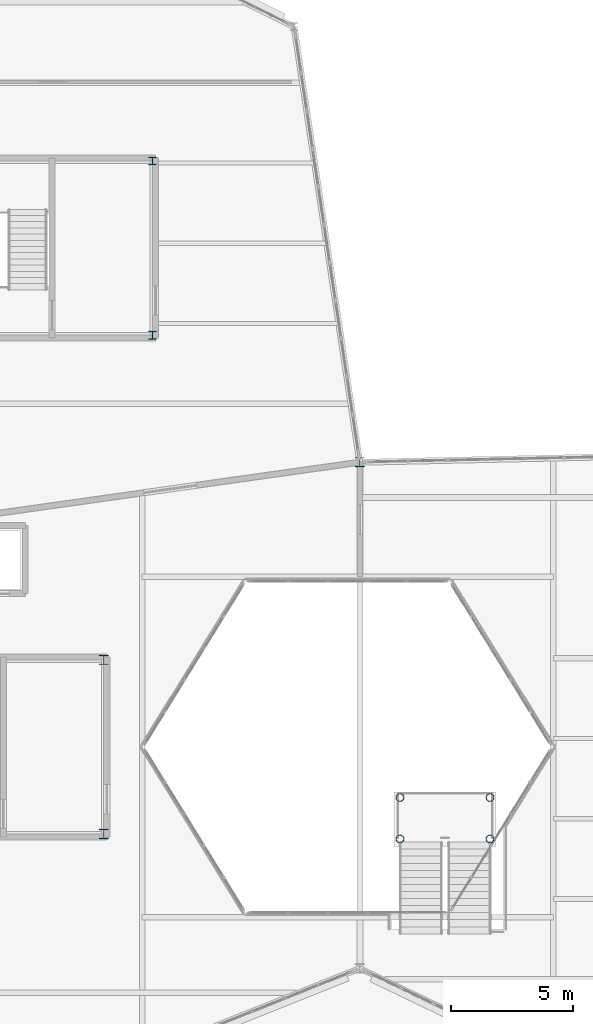
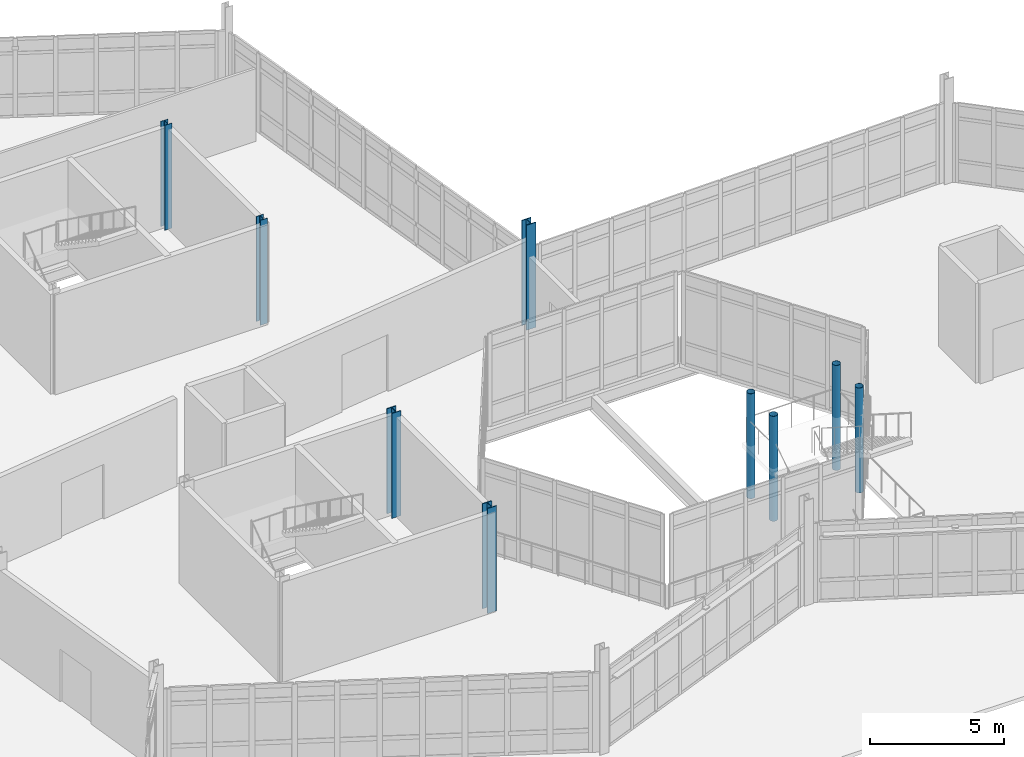
# One storey, part 11 of 134: 9 columns.
"""IFC4 building model written with IfcOpenShell, lengths in metres."""

from ifc_helpers import new_model, si_unit, direction, frame, origin, origin_2d, place, context, subcontext, project, spatial, hollow_circle, i_section, extrude, material, material_profile, profile_set, type_object, element, save


model = new_model("IFC4")

# Units and contexts
model_context = context("Model", 3, precision=1e-05, world=origin(), true_north=direction((0.0, 1.0)))
body_context = subcontext(model_context, "Body", "Model", "MODEL_VIEW")
ifc_project = project(units=[si_unit("LENGTHUNIT", "METRE"), si_unit("AREAUNIT", "SQUARE_METRE"), si_unit("VOLUMEUNIT", "CUBIC_METRE"), si_unit("PLANEANGLEUNIT", "RADIAN"), si_unit("MASSUNIT", "GRAM", prefix="KILO")], contexts=[model_context])

# Site, building, storey
site_placement = place(None, origin())
site = spatial("IfcSite", under=ifc_project, at=site_placement, CompositionType="ELEMENT")
building_placement = place(site_placement, origin())
building = spatial("IfcBuilding", under=site, at=building_placement, Name="Tameran Prism Museum", CompositionType="ELEMENT")
storey_placement = place(building_placement, frame((0.0, 0.0, 5.39990234375)))
storey = spatial("IfcBuildingStorey", under=building, at=storey_placement, Name="L01", CompositionType="ELEMENT", Elevation=5.39990234375)

# Columns
ifc_material_1 = material(Name="Steel Grade C350L0 (350 MPa)", Category="steel")
ifc_material_profile_1 = material_profile(ifc_material_1, hollow_circle(Radius=0.161865234375, WallThickness=0.010009765625, at=origin_2d()))
ifc_profile_set_1 = profile_set([ifc_material_profile_1])
column_type_1 = type_object("IfcColumnType", Name="COL-CHS324", PredefinedType="COLUMN", material=ifc_profile_set_1)
for number, where, z_axis, x_axis, name in (
    (1, (79.14990234375, 32.719970703125, 0.0), (0.0, 0.0, 1.0), (1.0, 0.0, 0.0), "Atrium Stair Support Column CAS-L01-1"),
    (2, (82.85009765625, 32.719970703125, 0.0), (0.0, 0.0, 1.0), (1.0, 0.0, 0.0), "Atrium Stair Support Column CAS-L01-2"),
    (3, (79.14990234375, 34.419921875, 0.0), (0.0, 0.0, 1.0), (1.0, 0.0, 0.0), "Atrium Stair Support Column CAS-L01-3"),
    (4, (82.85009765625, 34.419921875, 0.0), (0.0, 0.0, 1.0), (1.0, 0.0, 0.0), "Atrium Stair Support Column CAS-L01-4"),
):
    element("IfcColumn", number, at=place(storey_placement, frame(where, z_axis=z_axis, x_axis=x_axis)), inside=storey, type_object=column_type_1, Name=name, PredefinedType="COLUMN", context=body_context, shape_type="SweptSolid", body=[
        extrude(hollow_circle(Radius=0.161865234375, WallThickness=0.010009765625, at=origin_2d()), origin(), (0.0, 0.0, 1.0), 4.800048828125),
    ])
ifc_material_2 = material(Name="Steel Grade 300PLUS (300 MPa)", Category="steel")
ifc_material_profile_2 = material_profile(ifc_material_2, i_section(OverallWidth=0.306884765625, OverallDepth=0.31494140625, WebThickness=0.011962890625, FlangeThickness=0.018798828125, FilletRadius=0.0166015625, at=origin_2d()))
ifc_profile_set_2 = profile_set([ifc_material_profile_2])
column_type_2 = type_object("IfcColumnType", Name="COL-UC310C", PredefinedType="COLUMN", material=ifc_profile_set_2)
for number, where, z_axis, x_axis, name in (
    (5, (68.97998046875, 53.419921875, 0.0), (0.0, 0.0, 1.0), (1.0, 0.0, 0.0), "Column CC-8-2 L01"),
    (6, (68.97998046875, 60.580078125, 0.0), (0.0, 0.0, 1.0), (1.0, 0.0, 0.0), "Column CC-8-3 L01"),
):
    element("IfcColumn", number, at=place(storey_placement, frame(where, z_axis=z_axis, x_axis=x_axis)), inside=storey, type_object=column_type_2, Name=name, PredefinedType="COLUMN", context=body_context, shape_type="SweptSolid", body=[
        extrude(i_section(OverallWidth=0.306884765625, OverallDepth=0.31494140625, WebThickness=0.011962890625, FlangeThickness=0.018798828125, FilletRadius=0.0166015625, at=origin_2d()), origin(), (0.0, 0.0, 1.0), 4.800048828125),
    ])
ifc_material_3 = material(Name="Steel Grade 350 (350 MPa)", Category="steel")
ifc_material_profile_3 = material_profile(ifc_material_3, i_section(OverallWidth=0.39990234375, OverallDepth=0.39990234375, WebThickness=0.02197265625, FlangeThickness=0.035888671875, at=origin_2d()))
ifc_profile_set_3 = profile_set([ifc_material_profile_3])
column_type_3 = type_object("IfcColumnType", Name="COL-WC400", PredefinedType="COLUMN", material=ifc_profile_set_3)
for number, where, z_axis, x_axis, name in (
    (7, (77.5, 48.199951171875, 0.0), (0.0, 0.0, 1.0), (1.0, 0.0, 0.0), "Column CV-35 L01"),
    (8, (66.97998046875, 32.919921875, 0.0), (0.0, 0.0, 1.0), (1.0, 0.0, 0.0), "Column CC-3-2 L01"),
    (9, (66.97998046875, 40.080078125, 0.0), (0.0, 0.0, 1.0), (1.0, 0.0, 0.0), "Column CC-3-3 L01"),
):
    element("IfcColumn", number, at=place(storey_placement, frame(where, z_axis=z_axis, x_axis=x_axis)), inside=storey, type_object=column_type_3, Name=name, PredefinedType="COLUMN", context=body_context, shape_type="SweptSolid", body=[
        extrude(i_section(OverallWidth=0.39990234375, OverallDepth=0.39990234375, WebThickness=0.02197265625, FlangeThickness=0.035888671875, at=origin_2d()), origin(), (0.0, 0.0, 1.0), 4.800048828125),
    ])

save(model, "model.ifc")
